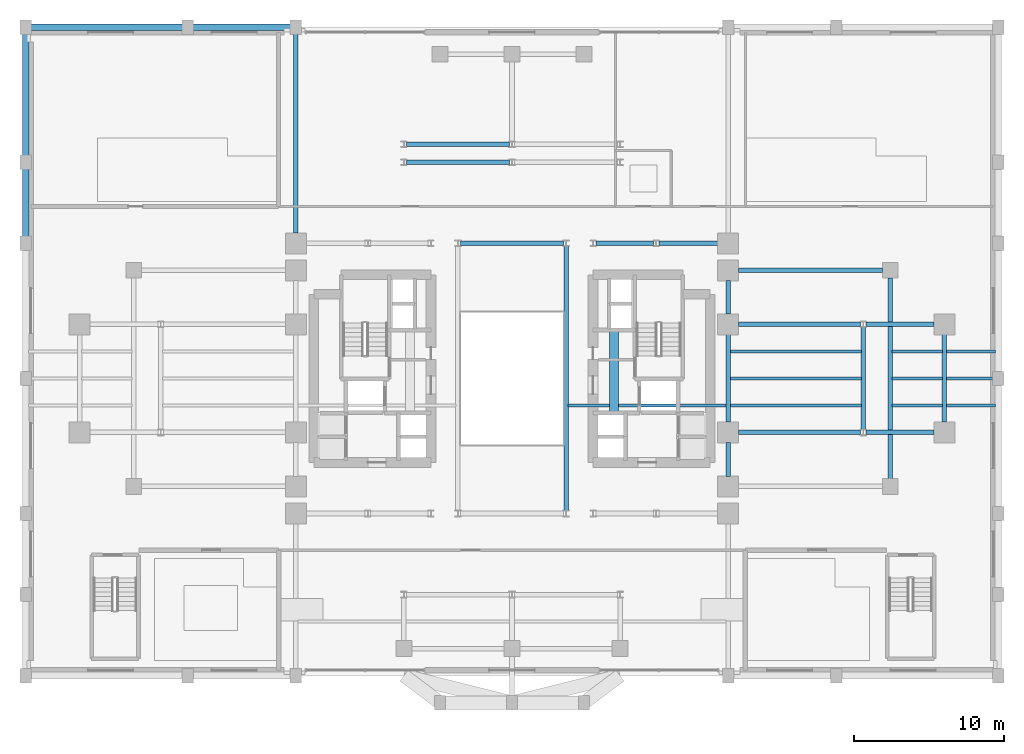
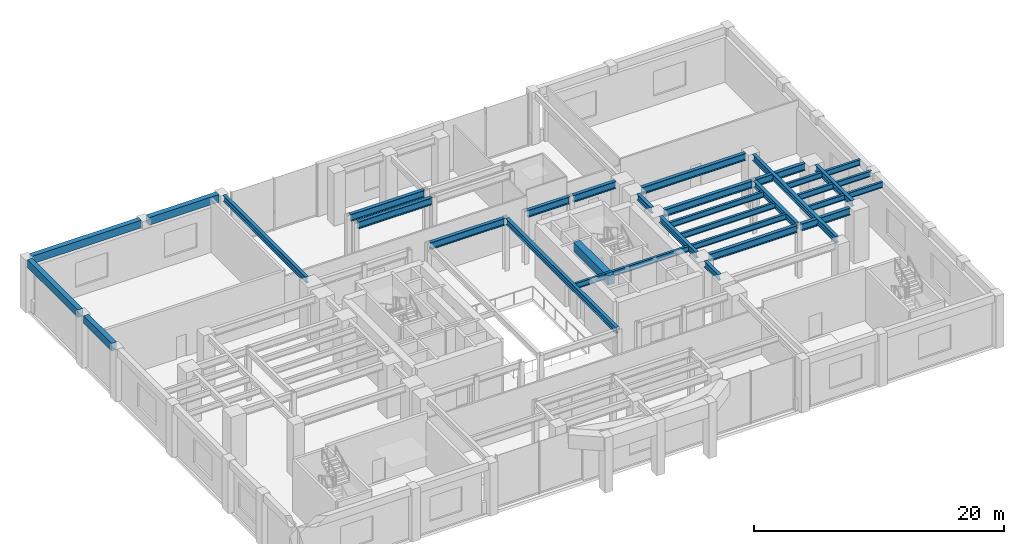
# One storey, part 7 of 16: 33 beams.
"""IFC4 building model written with IfcOpenShell, lengths in metres."""

from ifc_helpers import new_model, si_unit, direction, frame, origin, origin_2d, place, context, subcontext, project, spatial, rectangle, i_section, extrude, source, transform, mapped, material, material_profile, profile_set, type_object, element, save


model = new_model("IFC4")

# Units and contexts
model_context = context("Model", 3, precision=1e-05, world=origin(), true_north=direction((0.0, 1.0)))
body_context = subcontext(model_context, "Body", "Model", "MODEL_VIEW")
ifc_project = project(units=[si_unit("LENGTHUNIT", "METRE"), si_unit("AREAUNIT", "SQUARE_METRE"), si_unit("VOLUMEUNIT", "CUBIC_METRE"), si_unit("PLANEANGLEUNIT", "RADIAN"), si_unit("MASSUNIT", "GRAM", prefix="KILO")], contexts=[model_context])

# Site, building, storey
site_placement = place(None, origin())
site = spatial("IfcSite", under=ifc_project, at=site_placement, CompositionType="ELEMENT")
building_placement = place(site_placement, origin())
building = spatial("IfcBuilding", under=site, at=building_placement, Name="Keilestroom Media Tower", CompositionType="ELEMENT")
storey_placement = place(building_placement, frame((0.0, 0.0, 10.199951171875)))
storey = spatial("IfcBuildingStorey", under=building, at=storey_placement, Name="L02", CompositionType="ELEMENT", Elevation=10.199951171875)

# Beams
ifc_material_1 = material(Name="Precast concrete C40/50", Category="concrete")
ifc_material_profile_1 = material_profile(ifc_material_1, rectangle(XDim=0.449951171875, YDim=0.75, at=origin_2d()), Name="PC 450x750")
ifc_profile_set_1 = profile_set([ifc_material_profile_1], Name="Precast concrete C40/50")
beam_type_1 = type_object("IfcBeamType", Name="Perimeter-Spandrel-Beam-PC-450x750", PredefinedType="SPANDREL", material=ifc_profile_set_1)
shared_shape_1 = source(origin(), body_context, "Body", "SweptSolid", [
    extrude(rectangle(XDim=0.449951171875, YDim=0.75, at=origin_2d()), origin(), (0.0, 0.0, 1.0), 10.08984375),
])
beam_1_placement = place(storey_placement, frame((-32.044921875, 23.39990234375, 4.775146484375), z_axis=(1.0, 0.0, 0.0), x_axis=(0.0, 1.0, 0.0)))
element("IfcBeam", 1, at=beam_1_placement, inside=storey, type_object=beam_type_1, Name="L02 Beam SPB-1 BM-L02-EW-041", PredefinedType="SPANDREL", context=body_context, shape_type="MappedRepresentation", body=[
    mapped(shared_shape_1, transform((0.0, 0.0, 0.0), x_axis=(1.0, 0.0, 0.0), y_axis=(0.0, 1.0, 0.0), z_axis=(0.0, 0.0, 1.0), scale=1.0)),
])
shared_shape_2 = source(origin(), body_context, "Body", "SweptSolid", [
    extrude(rectangle(XDim=0.449951171875, YDim=0.75, at=origin_2d()), origin(), (0.0, 0.0, 1.0), 6.490234375),
])
beam_2_placement = place(storey_placement, frame((-21.2451171875, 23.39990234375, 4.775146484375), z_axis=(1.0, 0.0, 0.0), x_axis=(0.0, 1.0, 0.0)))
element("IfcBeam", 2, at=beam_2_placement, inside=storey, type_object=beam_type_1, Name="L02 Beam SPB-1 BM-L02-EW-042", PredefinedType="SPANDREL", context=body_context, shape_type="MappedRepresentation", body=[
    mapped(shared_shape_2, transform((0.0, 0.0, 0.0), x_axis=(1.0, 0.0, 0.0), y_axis=(0.0, 1.0, 0.0), z_axis=(0.0, 0.0, 1.0), scale=1.0)),
])
ifc_material_2 = material(Name="Concrete C70/85", Category="concrete")
ifc_material_profile_2 = material_profile(ifc_material_2, rectangle(XDim=0.60009765625, YDim=0.89990234375, at=origin_2d()), Name="RC 600x900")
ifc_profile_set_2 = profile_set([ifc_material_profile_2], Name="Concrete C70/85")
beam_type_2 = type_object("IfcBeamType", Name="Core-Coupling-Lintel-Beam-RC-600x900", PredefinedType="LINTEL", material=ifc_profile_set_2)
shared_shape_3 = source(origin(), body_context, "Body", "SweptSolid", [
    extrude(rectangle(XDim=0.60009765625, YDim=0.89990234375, at=origin_2d()), origin(), (0.0, 0.0, 1.0), 5.52001953125),
])
beam_3_placement = place(storey_placement, frame((6.800048828125, -2.300048828125, 4.699951171875), z_axis=(0.0, 1.0, 0.0), x_axis=(-1.0, 0.0, 0.0)))
element("IfcBeam", 3, at=beam_3_placement, inside=storey, type_object=beam_type_2, Name="L02 Beam CLB-1 CLB-L02-E", PredefinedType="LINTEL", context=body_context, shape_type="MappedRepresentation", body=[
    mapped(shared_shape_3, transform((0.0, 0.0, 0.0), x_axis=(1.0, 0.0, 0.0), y_axis=(0.0, 1.0, 0.0), z_axis=(0.0, 0.0, 1.0), scale=1.0)),
])
shared_shape_4 = source(origin(), body_context, "Body", "SweptSolid", [
    extrude(rectangle(XDim=0.449951171875, YDim=0.75, at=origin_2d()), origin(), (0.0, 0.0, 1.0), 4.489990234375),
])
beam_4_placement = place(storey_placement, frame((-32.39990234375, 9.455078125, 4.775146484375), z_axis=(0.0, 1.0, 0.0), x_axis=(-1.0, 0.0, 0.0)))
element("IfcBeam", 4, at=beam_4_placement, inside=storey, type_object=beam_type_1, Name="L02 Beam SPB-1 BM-L02-NS-049", PredefinedType="SPANDREL", context=body_context, shape_type="MappedRepresentation", body=[
    mapped(shared_shape_4, transform((0.0, 0.0, 0.0), x_axis=(1.0, 0.0, 0.0), y_axis=(0.0, 1.0, 0.0), z_axis=(0.0, 0.0, 1.0), scale=1.0)),
])
shared_shape_5 = source(origin(), body_context, "Body", "SweptSolid", [
    extrude(rectangle(XDim=0.449951171875, YDim=0.75, at=origin_2d()), origin(), (0.0, 0.0, 1.0), 8.090087890625),
])
beam_5_placement = place(storey_placement, frame((-32.39990234375, 14.85498046875, 4.775146484375), z_axis=(0.0, 1.0, 0.0), x_axis=(-1.0, 0.0, 0.0)))
element("IfcBeam", 5, at=beam_5_placement, inside=storey, type_object=beam_type_1, Name="L02 Beam SPB-1 BM-L02-NS-050", PredefinedType="SPANDREL", context=body_context, shape_type="MappedRepresentation", body=[
    mapped(shared_shape_5, transform((0.0, 0.0, 0.0), x_axis=(1.0, 0.0, 0.0), y_axis=(0.0, 1.0, 0.0), z_axis=(0.0, 0.0, 1.0), scale=1.0)),
])
ifc_material_3 = material(Name="Steel S355", Category="steel")
ifc_material_profile_3 = material_profile(ifc_material_3, i_section(OverallWidth=0.300048828125, OverallDepth=0.60009765625, WebThickness=0.013427734375, FlangeThickness=0.030029296875, at=origin_2d()), Name="HEB 600")
ifc_profile_set_3 = profile_set([ifc_material_profile_3], Name="Steel S355")
beam_type_3 = type_object("IfcBeamType", Name="Primary-Structural-Girder-HEB-600", PredefinedType="BEAM", material=ifc_profile_set_3)
shared_shape_6 = source(origin(), body_context, "Body", "SweptSolid", [
    extrude(i_section(OverallWidth=0.300048828125, OverallDepth=0.60009765625, WebThickness=0.013427734375, FlangeThickness=0.030029296875, at=origin_2d()), origin(), (0.0, 0.0, 1.0), 5.83984375),
])
for number, where, z_axis, x_axis, name in (
    (6, (14.39990234375, -2.919921875, 4.85009765625), (0.0, 1.0, 0.0), (-1.0, 0.0, 0.0), "L02 Beam BG-4 BM-L02-NS-078"),
    (7, (28.800048828125, -2.919921875, 4.85009765625), (0.0, 1.0, 0.0), (-1.0, 0.0, 0.0), "L02 Beam BG-4 BM-L02-NS-084"),
):
    element("IfcBeam", number, at=place(storey_placement, frame(where, z_axis=z_axis, x_axis=x_axis)), inside=storey, type_object=beam_type_3, Name=name, PredefinedType="BEAM", context=body_context, shape_type="MappedRepresentation", body=[
        mapped(shared_shape_6, transform((0.0, 0.0, 0.0), x_axis=(1.0, 0.0, 0.0), y_axis=(0.0, 1.0, 0.0), z_axis=(0.0, 0.0, 1.0), scale=1.0)),
    ])
shared_shape_7 = source(origin(), body_context, "Body", "SweptSolid", [
    extrude(i_section(OverallWidth=0.300048828125, OverallDepth=0.60009765625, WebThickness=0.013427734375, FlangeThickness=0.030029296875, at=origin_2d()), origin(), (0.0, 0.0, 1.0), 13.39013671875),
])
beam_6_placement = place(storey_placement, frame((25.199951171875, -6.695068359375, 4.85009765625), z_axis=(0.0, 1.0, 0.0), x_axis=(-1.0, 0.0, 0.0)))
element("IfcBeam", 8, at=beam_6_placement, inside=storey, type_object=beam_type_3, Name="L02 Beam BG-4 BM-L02-NS-083", PredefinedType="BEAM", context=body_context, shape_type="MappedRepresentation", body=[
    mapped(shared_shape_7, transform((0.0, 0.0, 0.0), x_axis=(1.0, 0.0, 0.0), y_axis=(0.0, 1.0, 0.0), z_axis=(0.0, 0.0, 1.0), scale=1.0)),
])
shared_shape_8 = source(origin(), body_context, "Body", "SweptSolid", [
    extrude(i_section(OverallWidth=0.300048828125, OverallDepth=0.60009765625, WebThickness=0.013427734375, FlangeThickness=0.030029296875, at=origin_2d()), origin(), (0.0, 0.0, 1.0), 6.82421875),
])
beam_7_placement = place(storey_placement, frame((23.39990234375, -3.412109375, 4.85009765625), z_axis=(0.0, 1.0, 0.0), x_axis=(-1.0, 0.0, 0.0)))
element("IfcBeam", 9, at=beam_7_placement, inside=storey, type_object=beam_type_3, Name="L02 Beam BG-4 BM-L02-NS-082", PredefinedType="BEAM", context=body_context, shape_type="MappedRepresentation", body=[
    mapped(shared_shape_8, transform((0.0, 0.0, 0.0), x_axis=(1.0, 0.0, 0.0), y_axis=(0.0, 1.0, 0.0), z_axis=(0.0, 0.0, 1.0), scale=1.0)),
])
shared_shape_9 = source(origin(), body_context, "Body", "SweptSolid", [
    extrude(i_section(OverallWidth=0.300048828125, OverallDepth=0.60009765625, WebThickness=0.013427734375, FlangeThickness=0.030029296875, at=origin_2d()), origin(), (0.0, 0.0, 1.0), 2.239990234375),
])
for number, where, z_axis, x_axis, name in (
    (10, (14.39990234375, -6.52001953125, 4.85009765625), (0.0, 1.0, 0.0), (-1.0, 0.0, 0.0), "L02 Beam BG-4 BM-L02-NS-077"),
    (11, (14.39990234375, 4.280029296875, 4.85009765625), (0.0, 1.0, 0.0), (-1.0, 0.0, 0.0), "L02 Beam BG-4 BM-L02-NS-079"),
):
    element("IfcBeam", number, at=place(storey_placement, frame(where, z_axis=z_axis, x_axis=x_axis)), inside=storey, type_object=beam_type_3, Name=name, PredefinedType="BEAM", context=body_context, shape_type="MappedRepresentation", body=[
        mapped(shared_shape_9, transform((0.0, 0.0, 0.0), x_axis=(1.0, 0.0, 0.0), y_axis=(0.0, 1.0, 0.0), z_axis=(0.0, 0.0, 1.0), scale=1.0)),
    ])
shared_shape_10 = source(origin(), body_context, "Body", "SweptSolid", [
    extrude(i_section(OverallWidth=0.300048828125, OverallDepth=0.60009765625, WebThickness=0.013427734375, FlangeThickness=0.030029296875, at=origin_2d()), origin(), (0.0, 0.0, 1.0), 13.26513671875),
])
beam_8_placement = place(storey_placement, frame((-14.39990234375, 9.679931640625, 4.85009765625), z_axis=(0.0, 1.0, 0.0), x_axis=(-1.0, 0.0, 0.0)))
element("IfcBeam", 12, at=beam_8_placement, inside=storey, type_object=beam_type_3, Name="L02 Beam BG-4 BM-L02-NS-060", PredefinedType="BEAM", context=body_context, shape_type="MappedRepresentation", body=[
    mapped(shared_shape_10, transform((0.0, 0.0, 0.0), x_axis=(1.0, 0.0, 0.0), y_axis=(0.0, 1.0, 0.0), z_axis=(0.0, 0.0, 1.0), scale=1.0)),
])
shared_shape_11 = source(origin(), body_context, "Body", "SweptSolid", [
    extrude(i_section(OverallWidth=0.300048828125, OverallDepth=0.60009765625, WebThickness=0.013427734375, FlangeThickness=0.030029296875, at=origin_2d()), origin(), (0.0, 0.0, 1.0), 17.6240234375),
])
beam_9_placement = place(storey_placement, frame((3.60009765625, -8.81201171875, 4.85009765625), z_axis=(0.0, 1.0, 0.0), x_axis=(-1.0, 0.0, 0.0)))
element("IfcBeam", 13, at=beam_9_placement, inside=storey, type_object=beam_type_3, Name="L02 Beam BG-4 BM-L02-NS-070", PredefinedType="BEAM", context=body_context, shape_type="MappedRepresentation", body=[
    mapped(shared_shape_11, transform((0.0, 0.0, 0.0), x_axis=(1.0, 0.0, 0.0), y_axis=(0.0, 1.0, 0.0), z_axis=(0.0, 0.0, 1.0), scale=1.0)),
])
ifc_material_4 = material(Name="Steel S460", Category="steel")
ifc_material_profile_4 = material_profile(ifc_material_4, i_section(OverallWidth=0.300048828125, OverallDepth=0.699951171875, WebThickness=0.014404296875, FlangeThickness=0.031982421875, at=origin_2d()), Name="HEB 700")
ifc_profile_set_4 = profile_set([ifc_material_profile_4], Name="Steel S460")
beam_type_4 = type_object("IfcBeamType", Name="Primary-Structural-Girder-HEB-700", PredefinedType="BEAM", material=ifc_profile_set_4)
shared_shape_12 = source(origin(), body_context, "Body", "SweptSolid", [
    extrude(i_section(OverallWidth=0.300048828125, OverallDepth=0.699951171875, WebThickness=0.014404296875, FlangeThickness=0.031982421875, at=origin_2d()), origin(), (0.0, 0.0, 1.0), 6.833984375),
])
for number, where, z_axis, x_axis, name in (
    (14, (-3.4169921875, 9.0, 4.800048828125), (1.0, 0.0, 0.0), (0.0, 1.0, 0.0), "L02 Beam BG-2 BM-L02-EW-031"),
    (15, (-7.01708984375, 14.39990234375, 4.800048828125), (1.0, 0.0, 0.0), (0.0, 1.0, 0.0), "L02 Beam BG-2 BM-L02-EW-035"),
    (16, (-7.01708984375, 15.60009765625, 4.800048828125), (1.0, 0.0, 0.0), (0.0, 1.0, 0.0), "L02 Beam BG-2 BM-L02-EW-037"),
):
    element("IfcBeam", number, at=place(storey_placement, frame(where, z_axis=z_axis, x_axis=x_axis)), inside=storey, type_object=beam_type_4, Name=name, PredefinedType="BEAM", context=body_context, shape_type="MappedRepresentation", body=[
        mapped(shared_shape_12, transform((0.0, 0.0, 0.0), x_axis=(1.0, 0.0, 0.0), y_axis=(0.0, 1.0, 0.0), z_axis=(0.0, 0.0, 1.0), scale=1.0)),
    ])
shared_shape_13 = source(origin(), body_context, "Body", "SweptSolid", [
    extrude(i_section(OverallWidth=0.300048828125, OverallDepth=0.699951171875, WebThickness=0.014404296875, FlangeThickness=0.031982421875, at=origin_2d()), origin(), (0.0, 0.0, 1.0), 3.93701171875),
])
beam_10_placement = place(storey_placement, frame((9.782958984375, 9.0, 4.800048828125), z_axis=(1.0, 0.0, 0.0), x_axis=(0.0, 1.0, 0.0)))
element("IfcBeam", 17, at=beam_10_placement, inside=storey, type_object=beam_type_4, Name="L02 Beam BG-2 BM-L02-EW-034", PredefinedType="BEAM", context=body_context, shape_type="MappedRepresentation", body=[
    mapped(shared_shape_13, transform((0.0, 0.0, 0.0), x_axis=(1.0, 0.0, 0.0), y_axis=(0.0, 1.0, 0.0), z_axis=(0.0, 0.0, 1.0), scale=1.0)),
])
shared_shape_14 = source(origin(), body_context, "Body", "SweptSolid", [
    extrude(i_section(OverallWidth=0.300048828125, OverallDepth=0.699951171875, WebThickness=0.014404296875, FlangeThickness=0.031982421875, at=origin_2d()), origin(), (0.0, 0.0, 1.0), 3.833984375),
])
beam_11_placement = place(storey_placement, frame((5.5830078125, 9.0, 4.800048828125), z_axis=(1.0, 0.0, 0.0), x_axis=(0.0, 1.0, 0.0)))
element("IfcBeam", 18, at=beam_11_placement, inside=storey, type_object=beam_type_4, Name="L02 Beam BG-2 BM-L02-EW-033", PredefinedType="BEAM", context=body_context, shape_type="MappedRepresentation", body=[
    mapped(shared_shape_14, transform((0.0, 0.0, 0.0), x_axis=(1.0, 0.0, 0.0), y_axis=(0.0, 1.0, 0.0), z_axis=(0.0, 0.0, 1.0), scale=1.0)),
])
shared_shape_15 = source(origin(), body_context, "Body", "SweptSolid", [
    extrude(i_section(OverallWidth=0.300048828125, OverallDepth=0.699951171875, WebThickness=0.014404296875, FlangeThickness=0.031982421875, at=origin_2d()), origin(), (0.0, 0.0, 1.0), 9.614990234375),
])
beam_12_placement = place(storey_placement, frame((15.080078125, 7.199951171875, 4.800048828125), z_axis=(1.0, 0.0, 0.0), x_axis=(0.0, 1.0, 0.0)))
element("IfcBeam", 19, at=beam_12_placement, inside=storey, type_object=beam_type_4, Name="L02 Beam BG-2 BM-L02-EW-027", PredefinedType="BEAM", context=body_context, shape_type="MappedRepresentation", body=[
    mapped(shared_shape_15, transform((0.0, 0.0, 0.0), x_axis=(1.0, 0.0, 0.0), y_axis=(0.0, 1.0, 0.0), z_axis=(0.0, 0.0, 1.0), scale=1.0)),
])
shared_shape_16 = source(origin(), body_context, "Body", "SweptSolid", [
    extrude(i_section(OverallWidth=0.300048828125, OverallDepth=0.699951171875, WebThickness=0.014404296875, FlangeThickness=0.031982421875, at=origin_2d()), origin(), (0.0, 0.0, 1.0), 4.537109375),
])
for number, where, z_axis, x_axis, name in (
    (20, (23.5830078125, -3.60009765625, 4.800048828125), (1.0, 0.0, 0.0), (0.0, 1.0, 0.0), "L02 Beam BG-2 BM-L02-EW-021"),
    (21, (23.5830078125, 3.60009765625, 4.800048828125), (1.0, 0.0, 0.0), (0.0, 1.0, 0.0), "L02 Beam BG-2 BM-L02-EW-025"),
):
    element("IfcBeam", number, at=place(storey_placement, frame(where, z_axis=z_axis, x_axis=x_axis)), inside=storey, type_object=beam_type_4, Name=name, PredefinedType="BEAM", context=body_context, shape_type="MappedRepresentation", body=[
        mapped(shared_shape_16, transform((0.0, 0.0, 0.0), x_axis=(1.0, 0.0, 0.0), y_axis=(0.0, 1.0, 0.0), z_axis=(0.0, 0.0, 1.0), scale=1.0)),
    ])
shared_shape_17 = source(origin(), body_context, "Body", "SweptSolid", [
    extrude(i_section(OverallWidth=0.300048828125, OverallDepth=0.699951171875, WebThickness=0.014404296875, FlangeThickness=0.031982421875, at=origin_2d()), origin(), (0.0, 0.0, 1.0), 8.136962890625),
])
for number, where, z_axis, x_axis, name in (
    (22, (15.080078125, -3.60009765625, 4.800048828125), (1.0, 0.0, 0.0), (0.0, 1.0, 0.0), "L02 Beam BG-2 BM-L02-EW-020"),
    (23, (15.080078125, 3.60009765625, 4.800048828125), (1.0, 0.0, 0.0), (0.0, 1.0, 0.0), "L02 Beam BG-2 BM-L02-EW-024"),
):
    element("IfcBeam", number, at=place(storey_placement, frame(where, z_axis=z_axis, x_axis=x_axis)), inside=storey, type_object=beam_type_4, Name=name, PredefinedType="BEAM", context=body_context, shape_type="MappedRepresentation", body=[
        mapped(shared_shape_17, transform((0.0, 0.0, 0.0), x_axis=(1.0, 0.0, 0.0), y_axis=(0.0, 1.0, 0.0), z_axis=(0.0, 0.0, 1.0), scale=1.0)),
    ])
ifc_material_profile_5 = material_profile(ifc_material_3, i_section(OverallWidth=0.2099609375, OverallDepth=0.550048828125, WebThickness=0.010986328125, FlangeThickness=0.01708984375, at=origin_2d()), Name="IPE 550")
ifc_profile_set_5 = profile_set([ifc_material_profile_5], Name="Steel S355")
beam_type_5 = type_object("IfcBeamType", Name="Secondary-Floor-Joist-IPE-550", PredefinedType="JOIST", material=ifc_profile_set_5)
shared_shape_18 = source(origin(), body_context, "Body", "SweptSolid", [
    extrude(i_section(OverallWidth=0.2099609375, OverallDepth=0.550048828125, WebThickness=0.010986328125, FlangeThickness=0.01708984375, at=origin_2d()), origin(), (0.0, 0.0, 1.0), 3.26513671875),
])
for number, where, z_axis, x_axis, name in (
    (24, (28.929931640625, -1.800048828125, 4.875), (1.0, 0.0, 0.0), (0.0, 1.0, 0.0), "L02 Beam BJ-1 JST-L02-103"),
    (25, (28.929931640625, 0.0, 4.875), (1.0, 0.0, 0.0), (0.0, 1.0, 0.0), "L02 Beam BJ-1 JST-L02-112"),
    (26, (28.929931640625, 1.800048828125, 4.875), (1.0, 0.0, 0.0), (0.0, 1.0, 0.0), "L02 Beam BJ-1 JST-L02-121"),
):
    element("IfcBeam", number, at=place(storey_placement, frame(where, z_axis=z_axis, x_axis=x_axis)), inside=storey, type_object=beam_type_5, Name=name, PredefinedType="JOIST", context=body_context, shape_type="MappedRepresentation", body=[
        mapped(shared_shape_18, transform((0.0, 0.0, 0.0), x_axis=(1.0, 0.0, 0.0), y_axis=(0.0, 1.0, 0.0), z_axis=(0.0, 0.0, 1.0), scale=1.0)),
    ])
shared_shape_19 = source(origin(), body_context, "Body", "SweptSolid", [
    extrude(i_section(OverallWidth=0.2099609375, OverallDepth=0.550048828125, WebThickness=0.010986328125, FlangeThickness=0.01708984375, at=origin_2d()), origin(), (0.0, 0.0, 1.0), 3.33984375),
])
for number, where, z_axis, x_axis, name in (
    (27, (25.330078125, -1.800048828125, 4.875), (1.0, 0.0, 0.0), (0.0, 1.0, 0.0), "L02 Beam BJ-1 JST-L02-102"),
    (28, (25.330078125, 0.0, 4.875), (1.0, 0.0, 0.0), (0.0, 1.0, 0.0), "L02 Beam BJ-1 JST-L02-111"),
    (29, (25.330078125, 1.800048828125, 4.875), (1.0, 0.0, 0.0), (0.0, 1.0, 0.0), "L02 Beam BJ-1 JST-L02-120"),
):
    element("IfcBeam", number, at=place(storey_placement, frame(where, z_axis=z_axis, x_axis=x_axis)), inside=storey, type_object=beam_type_5, Name=name, PredefinedType="JOIST", context=body_context, shape_type="MappedRepresentation", body=[
        mapped(shared_shape_19, transform((0.0, 0.0, 0.0), x_axis=(1.0, 0.0, 0.0), y_axis=(0.0, 1.0, 0.0), z_axis=(0.0, 0.0, 1.0), scale=1.0)),
    ])
shared_shape_20 = source(origin(), body_context, "Body", "SweptSolid", [
    extrude(i_section(OverallWidth=0.2099609375, OverallDepth=0.550048828125, WebThickness=0.010986328125, FlangeThickness=0.01708984375, at=origin_2d()), origin(), (0.0, 0.0, 1.0), 8.739990234375),
])
for number, where, z_axis, x_axis, name in (
    (30, (14.530029296875, -1.800048828125, 4.875), (1.0, 0.0, 0.0), (0.0, 1.0, 0.0), "L02 Beam BJ-1 JST-L02-101"),
    (31, (14.530029296875, 0.0, 4.875), (1.0, 0.0, 0.0), (0.0, 1.0, 0.0), "L02 Beam BJ-1 JST-L02-110"),
    (32, (14.530029296875, 1.800048828125, 4.875), (1.0, 0.0, 0.0), (0.0, 1.0, 0.0), "L02 Beam BJ-1 JST-L02-119"),
):
    element("IfcBeam", number, at=place(storey_placement, frame(where, z_axis=z_axis, x_axis=x_axis)), inside=storey, type_object=beam_type_5, Name=name, PredefinedType="JOIST", context=body_context, shape_type="MappedRepresentation", body=[
        mapped(shared_shape_20, transform((0.0, 0.0, 0.0), x_axis=(1.0, 0.0, 0.0), y_axis=(0.0, 1.0, 0.0), z_axis=(0.0, 0.0, 1.0), scale=1.0)),
    ])
shared_shape_21 = source(origin(), body_context, "Body", "SweptSolid", [
    extrude(i_section(OverallWidth=0.2099609375, OverallDepth=0.550048828125, WebThickness=0.010986328125, FlangeThickness=0.01708984375, at=origin_2d()), origin(), (0.0, 0.0, 1.0), 10.5400390625),
])
beam_13_placement = place(storey_placement, frame((3.72998046875, -1.800048828125, 4.875), z_axis=(1.0, 0.0, 0.0), x_axis=(0.0, 1.0, 0.0)))
element("IfcBeam", 33, at=beam_13_placement, inside=storey, type_object=beam_type_5, Name="L02 Beam BJ-1 JST-L02-100", PredefinedType="JOIST", context=body_context, shape_type="MappedRepresentation", body=[
    mapped(shared_shape_21, transform((0.0, 0.0, 0.0), x_axis=(1.0, 0.0, 0.0), y_axis=(0.0, 1.0, 0.0), z_axis=(0.0, 0.0, 1.0), scale=1.0)),
])

save(model, "model.ifc")
